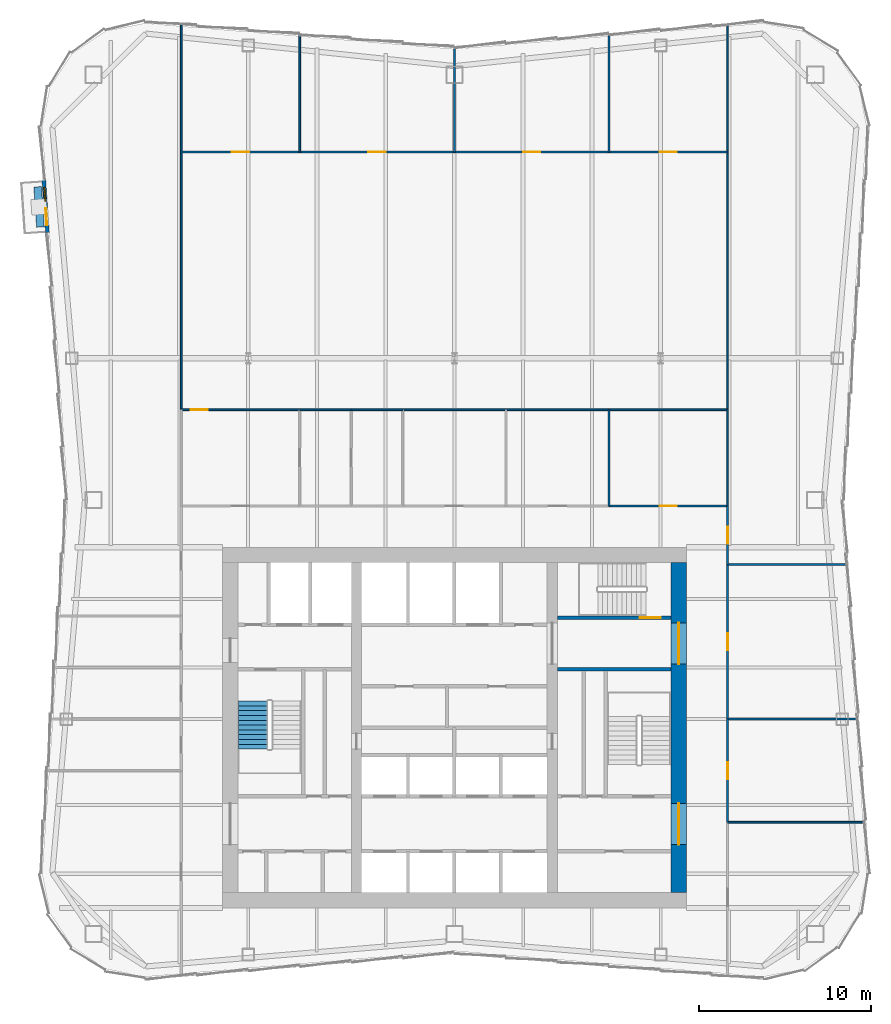
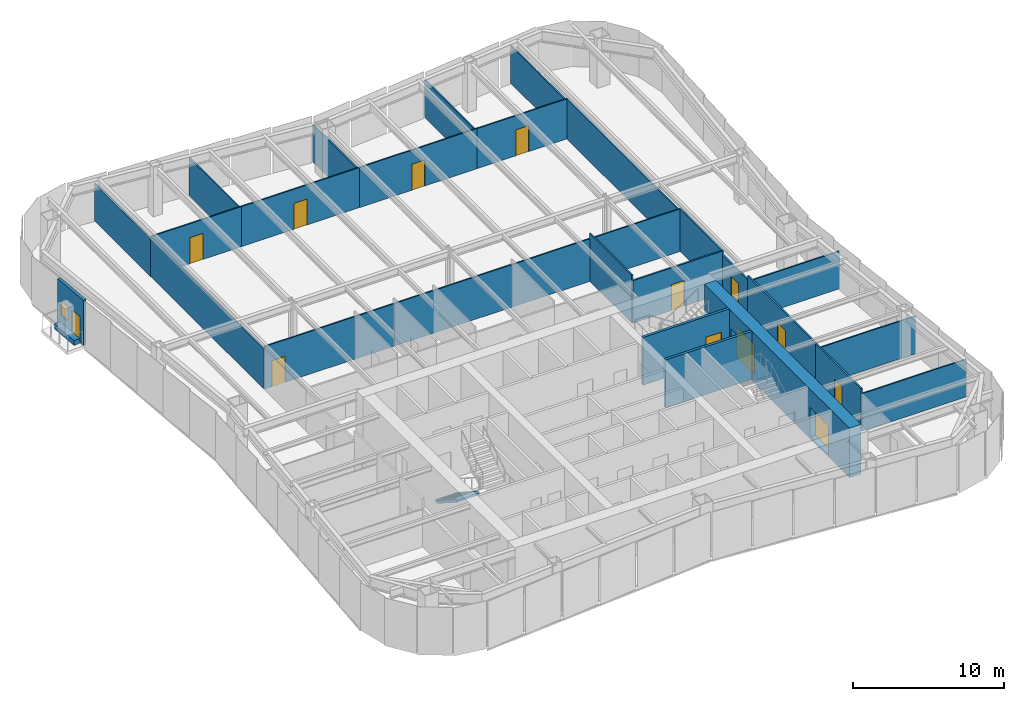
# One storey, part 7 of 10: 31 walls, 13 doors, 1 stair flight, 1 window, 14 openings, 1 element without a shape of its own.
"""IFC4 building model written with IfcOpenShell, lengths in metres."""

from ifc_helpers import new_model, si_unit, direction, frame, frame_2d, origin, place, context, subcontext, project, spatial, polyline, rectangle, outline, extrude, material, layer, layer_set, type_object, element, fill, aggregate, save


model = new_model("IFC4")

# Units and contexts
model_context = context("Model", 3, precision=1e-05, world=origin(), true_north=direction((0.0, 1.0)))
body_context = subcontext(model_context, "Body", "Model", "MODEL_VIEW")
ifc_project = project(units=[si_unit("LENGTHUNIT", "METRE"), si_unit("AREAUNIT", "SQUARE_METRE"), si_unit("VOLUMEUNIT", "CUBIC_METRE"), si_unit("PLANEANGLEUNIT", "RADIAN"), si_unit("MASSUNIT", "GRAM", prefix="KILO")], contexts=[model_context])

# Site, building, storey
site_placement = place(None, origin())
site = spatial("IfcSite", under=ifc_project, at=site_placement, CompositionType="ELEMENT")
building_placement = place(site_placement, origin())
building = spatial("IfcBuilding", under=site, at=building_placement, Name="Verdant Reach Tower", CompositionType="ELEMENT")
storey_placement = place(building_placement, frame((0.0, 0.0, 202.0)))
storey = spatial("IfcBuildingStorey", under=building, at=storey_placement, Name="L46", CompositionType="ELEMENT", Elevation=202.0)

# Wall
ifc_material_1 = material(Name="Concrete C40/50", Category="concrete")
ifc_layer_1 = layer(ifc_material_1, 0.199951171875)
ifc_layer_set_1 = layer_set([ifc_layer_1], Name="CO-WALL-STAIR")
wall_type_1 = type_object("IfcWallType", Name="CO-WALL-STAIR", PredefinedType="PARTITIONING", material=ifc_layer_set_1)
wall_1_placement = place(storey_placement, frame((6.0, 31.39990234375, 0.0), z_axis=(0.0, 0.0, 1.0), x_axis=(1.0, 0.0, 0.0)))
element("IfcWall", 1, at=wall_1_placement, inside=storey, type_object=wall_type_1, Name="Stair enclosure wall, L46", PredefinedType="PARTITIONING", context=body_context, shape_type="SweptSolid", body=[
    extrude(rectangle(XDim=6.60009765625, YDim=0.199951171875, at=frame_2d((3.300048828125, 0.0))), origin(), (0.0, 0.0, 1.0), 3.8701171875),
])

# Wall, opening, door
wall_2_placement = place(storey_placement, frame((6.0, 34.39990234375, 0.0), z_axis=(0.0, 0.0, 1.0), x_axis=(1.0, 0.0, 0.0)))
wall_2 = element("IfcWall", 2, at=wall_2_placement, inside=storey, type_object=wall_type_1, Name="Stair enclosure wall, L46", PredefinedType="PARTITIONING", context=body_context, shape_type="SweptSolid", body=[
    extrude(rectangle(XDim=6.60009765625, YDim=0.199951171875, at=frame_2d((3.300048828125, 0.0))), origin(), (0.0, 0.0, 1.0), 3.8701171875),
])
opening_1_placement = place(wall_2_placement, frame((4.800048828125, 0.0, 0.0)))
opening_1 = element("IfcOpeningElement", 3, at=opening_1_placement, cuts=wall_2, Name="Opening SD", PredefinedType="OPENING", context=body_context, shape_type="SweptSolid", body=[
    extrude(rectangle(XDim=1.199951171875, YDim=2.199951171875, at=frame_2d((0.60009765625, 1.10009765625))), frame((0.0, 0.10986328125, 0.0), z_axis=(0.0, -1.0, 0.0), x_axis=(1.0, 0.0, 0.0)), (0.0, 0.0, 1.0), 0.219970703125),
])
ifc_material_2 = material(Name="Steel", Category="steel")
door_type_1 = type_object("IfcDoorType", Name="CO-DOOR-STAIR", OperationType="NOTDEFINED", PredefinedType="DOOR", material=ifc_material_2)
door_1_placement = place(opening_1_placement, origin())
door_1 = element("IfcDoor", 4, at=door_1_placement, inside=storey, type_object=door_type_1, Name="Stair door, L46", OperationType="SINGLE_SWING_LEFT", OverallHeight=2.199951171875, OverallWidth=1.199951171875, PredefinedType="DOOR", context=body_context, shape_type="SweptSolid", body=[
    extrude(rectangle(XDim=1.199951171875, YDim=2.199951171875, at=frame_2d((0.60009765625, 1.10009765625))), frame((0.0, 0.02490234375, 0.0), z_axis=(0.0, -1.0, 0.0), x_axis=(1.0, 0.0, 0.0)), (0.0, 0.0, 1.0), 0.050048828125),
])
fill(opening_1, door_1)

# Wall, openings, door, window
ifc_material_3 = material(Name="Insulated bronze aluminium panel wall", Category="aluminium")
ifc_layer_2 = layer(ifc_material_3, 0.219970703125)
ifc_layer_set_2 = layer_set([ifc_layer_2], Name="EN-INFILL WALL")
wall_type_2 = type_object("IfcWallType", Name="EN-INFILL WALL", PredefinedType="SOLIDWALL", material=ifc_layer_set_2)
wall_3_placement = place(storey_placement, frame((-23.89208984375, 59.8525390625, 0.0), z_axis=(0.0, 0.0, 1.0), x_axis=(0.068788350144, -0.997631276016, 0.0)))
wall_3 = element("IfcWall", 5, at=wall_3_placement, inside=storey, type_object=wall_type_2, Name="External infill wall, balcony bay 1, L46", PredefinedType="SOLIDWALL", context=body_context, shape_type="SweptSolid", body=[
    extrude(rectangle(XDim=3.048828125, YDim=0.218017578125, at=frame_2d((1.5244140625, 0.0))), origin(), (0.0, 0.0, 1.0), 3.64990234375),
])
opening_2_placement = place(wall_3_placement, frame((1.63232421875, 0.0, 0.0)))
opening_2 = element("IfcOpeningElement", 6, at=opening_2_placement, cuts=wall_3, Name="Opening BD1", PredefinedType="OPENING", context=body_context, shape_type="SweptSolid", body=[
    extrude(rectangle(XDim=1.0, YDim=2.10009765625, at=frame_2d((0.5, 1.050048828125))), frame((0.0, 0.118896484375, 0.0), z_axis=(0.0, -1.0, 0.0), x_axis=(1.0, 0.0, 0.0)), (0.0, 0.0, 1.0), 0.238037109375),
])
opening_3_placement = place(wall_3_placement, frame((0.416259765625, 0.0, 0.89990234375)))
opening_3 = element("IfcOpeningElement", 7, at=opening_3_placement, cuts=wall_3, Name="Opening BW1", PredefinedType="OPENING", context=body_context, shape_type="SweptSolid", body=[
    extrude(rectangle(XDim=0.800048828125, YDim=1.199951171875, at=frame_2d((0.39990234375, 0.60009765625))), frame((0.0, 0.118896484375, 0.0), z_axis=(0.0, -1.0, 0.0), x_axis=(1.0, 0.0, 0.0)), (0.0, 0.0, 1.0), 0.238037109375),
])
ifc_material_4 = material(Name="Aluminium framed glazed door", Category="aluminium")
door_type_2 = type_object("IfcDoorType", Name="EN-DOOR BALCONY", OperationType="NOTDEFINED", PredefinedType="DOOR", material=ifc_material_4)
door_2_placement = place(opening_2_placement, origin())
door_2 = element("IfcDoor", 8, at=door_2_placement, inside=storey, type_object=door_type_2, Name="Balcony door 1, L46", OperationType="SINGLE_SWING_RIGHT", OverallHeight=2.10009765625, OverallWidth=1.0, PredefinedType="DOOR", context=body_context, shape_type="SweptSolid", body=[
    extrude(rectangle(XDim=1.0, YDim=2.10009765625, at=frame_2d((0.5, 1.050048828125))), frame((0.0, 0.02490234375, 0.0), z_axis=(0.0, -1.0, 0.0), x_axis=(1.0, 0.0, 0.0)), (0.0, 0.0, 1.0), 0.050048828125),
])
fill(opening_2, door_2)
ifc_material_5 = material(Name="Aluminium framed glazing", Category="aluminium")
window_type = type_object("IfcWindowType", Name="EN-WINDOW BALCONY", PartitioningType="SINGLE_PANEL", PredefinedType="WINDOW", material=ifc_material_5)
window_placement = place(opening_3_placement, origin())
window = element("IfcWindow", 9, at=window_placement, inside=storey, type_object=window_type, Name="Balcony window 1, L46", OverallHeight=1.199951171875, OverallWidth=0.800048828125, PartitioningType="SINGLE_PANEL", PredefinedType="WINDOW", context=body_context, shape_type="SweptSolid", body=[
    extrude(rectangle(XDim=0.800048828125, YDim=1.199951171875, at=frame_2d((0.39990234375, 0.60009765625))), frame((0.0, 0.030029296875, 0.0), z_axis=(0.0, -1.0, 0.0), x_axis=(1.0, 0.0, 0.0)), (0.0, 0.0, 1.0), 0.06005859375),
])
fill(opening_3, window)

# Wall
ifc_material_6 = material(Name="Precast concrete C30/37", Category="concrete")
ifc_layer_3 = layer(ifc_material_6, 0.449951171875)
ifc_layer_set_3 = layer_set([ifc_layer_3], Name="EN-PLANTER")
wall_type_3 = type_object("IfcWallType", Name="EN-PLANTER", PredefinedType="USERDEFINED", material=ifc_layer_set_3)
wall_4_placement = place(storey_placement, frame((-24.251220703125, 59.476806640625, 0.0), z_axis=(0.0, 0.0, 1.0), x_axis=(0.068816361971, -0.997629344158, 0.0)))
element("IfcWall", 10, at=wall_4_placement, inside=storey, type_object=wall_type_3, Name="Balcony planter 1, L46", ObjectType="PLANTER", PredefinedType="USERDEFINED", context=body_context, shape_type="SweptSolid", body=[
    extrude(rectangle(XDim=2.3486328125, YDim=0.449951171875, at=frame_2d((1.17431640625, 0.0))), origin(), (0.0, 0.0, 1.0), 0.39990234375),
])

# Wall, opening, door
ifc_material_7 = material(Name="Gypsum board on steel studs", Category="steel")
ifc_layer_4 = layer(ifc_material_7, 0.10009765625)
ifc_layer_set_4 = layer_set([ifc_layer_4], Name="FL-W1 Partition 100")
wall_type_4 = type_object("IfcWallType", Name="FL-W1 Partition 100", PredefinedType="PARTITIONING", material=ifc_layer_set_4)
wall_5_placement = place(storey_placement, frame((-15.89990234375, 46.5, 0.0), z_axis=(0.0, 0.0, 1.0), x_axis=(1.0, 0.0, 0.0)))
wall_5 = element("IfcWall", 11, at=wall_5_placement, inside=storey, type_object=wall_type_4, Name="Partition 46.17", PredefinedType="PARTITIONING", context=body_context, shape_type="SweptSolid", body=[
    extrude(rectangle(XDim=6.90380859375, YDim=0.10009765625, at=frame_2d((3.451904296875, 0.0))), origin(), (0.0, 0.0, 1.0), 3.43994140625),
])
opening_4_placement = place(wall_5_placement, frame((0.552001953125, 0.0, 0.0)))
opening_4 = element("IfcOpeningElement", 12, at=opening_4_placement, cuts=wall_5, Name="Opening D3", PredefinedType="OPENING", context=body_context, shape_type="SweptSolid", body=[
    extrude(rectangle(XDim=1.0, YDim=2.10009765625, at=frame_2d((0.5, 1.050048828125))), frame((0.0, 0.06005859375, 0.0), z_axis=(0.0, -1.0, 0.0), x_axis=(1.0, 0.0, 0.0)), (0.0, 0.0, 1.0), 0.1201171875),
])
ifc_material_8 = material(Name="Painted timber door leaf", Category="wood")
door_type_3 = type_object("IfcDoorType", Name="FL-D3 Door 1000x2100", OperationType="NOTDEFINED", PredefinedType="DOOR", material=ifc_material_8)
door_3_placement = place(opening_4_placement, origin())
door_3 = element("IfcDoor", 13, at=door_3_placement, inside=storey, type_object=door_type_3, Name="Door 46-015", OperationType="SINGLE_SWING_LEFT", OverallHeight=2.10009765625, OverallWidth=1.0, PredefinedType="DOOR", context=body_context, shape_type="SweptSolid", body=[
    extrude(rectangle(XDim=1.0, YDim=2.10009765625, at=frame_2d((0.5, 1.050048828125))), frame((0.0, 0.02490234375, 0.0), z_axis=(0.0, -1.0, 0.0), x_axis=(1.0, 0.0, 0.0)), (0.0, 0.0, 1.0), 0.050048828125),
])
fill(opening_4, door_3)

# Walls
for number, where, z_axis, x_axis, name in (
    (14, (-5.99609375, 46.5, 0.0), (0.0, 0.0, 1.0), (-1.0, 0.0, 0.0), "Partition 46.20"),
    (15, (-2.99609375, 46.5, 0.0), (0.0, 0.0, 1.0), (-1.0, 0.0, 0.0), "Partition 46.22"),
):
    element("IfcWall", number, at=place(storey_placement, frame(where, z_axis=z_axis, x_axis=x_axis)), inside=storey, type_object=wall_type_4, Name=name, PredefinedType="PARTITIONING", context=body_context, shape_type="SweptSolid", body=[
        extrude(rectangle(XDim=3.0078125, YDim=0.10009765625, at=frame_2d((1.50390625, 0.0))), origin(), (0.0, 0.0, 1.0), 3.43994140625),
    ])
wall_6_placement = place(storey_placement, frame((3.00390625, 46.5, 0.0), z_axis=(0.0, 0.0, 1.0), x_axis=(-1.0, 0.0, 0.0)))
element("IfcWall", 16, at=wall_6_placement, inside=storey, type_object=wall_type_4, Name="Partition 46.24", PredefinedType="PARTITIONING", context=body_context, shape_type="SweptSolid", body=[
    extrude(rectangle(XDim=6.0078125, YDim=0.10009765625, at=frame_2d((3.00390625, 0.0))), origin(), (0.0, 0.0, 1.0), 3.43994140625),
])
wall_7_placement = place(storey_placement, frame((9.0, 40.89990234375, 0.0), z_axis=(0.0, 0.0, 1.0), x_axis=(0.0, 1.0, 0.0)))
element("IfcWall", 17, at=wall_7_placement, inside=storey, type_object=wall_type_4, Name="Partition 46.25", PredefinedType="PARTITIONING", context=body_context, shape_type="SweptSolid", body=[
    extrude(rectangle(XDim=5.60009765625, YDim=0.10009765625, at=frame_2d((2.800048828125, 0.0))), origin(), (0.0, 0.0, 1.0), 3.8701171875),
])
wall_8_placement = place(storey_placement, frame((9.00390625, 46.5, 0.0), z_axis=(0.0, 0.0, 1.0), x_axis=(-1.0, 0.0, 0.0)))
element("IfcWall", 18, at=wall_8_placement, inside=storey, type_object=wall_type_4, Name="Partition 46.26", PredefinedType="PARTITIONING", context=body_context, shape_type="SweptSolid", body=[
    extrude(rectangle(XDim=6.0078125, YDim=0.10009765625, at=frame_2d((3.00390625, 0.0))), origin(), (0.0, 0.0, 1.0), 3.43994140625),
])
wall_9_placement = place(storey_placement, frame((15.89990234375, 46.5, 0.0), z_axis=(0.0, 0.0, 1.0), x_axis=(-1.0, 0.0, 0.0)))
element("IfcWall", 19, at=wall_9_placement, inside=storey, type_object=wall_type_4, Name="Partition 46.27", PredefinedType="PARTITIONING", context=body_context, shape_type="SweptSolid", body=[
    extrude(rectangle(XDim=6.90380859375, YDim=0.10009765625, at=frame_2d((3.451904296875, 0.0))), origin(), (0.0, 0.0, 1.0), 3.43994140625),
])
wall_10_placement = place(storey_placement, frame((15.89990234375, 40.89599609375, 0.0), z_axis=(0.0, 0.0, 1.0), x_axis=(0.0, 1.0, 0.0)))
element("IfcWall", 20, at=wall_10_placement, inside=storey, type_object=wall_type_4, Name="Partition 46.28", PredefinedType="PARTITIONING", context=body_context, shape_type="SweptSolid", body=[
    extrude(rectangle(XDim=5.60791015625, YDim=0.10009765625, at=frame_2d((2.803955078125, 0.0))), origin(), (0.0, 0.0, 1.0), 3.43994140625),
])

# Wall, opening, door
wall_11_placement = place(storey_placement, frame((-15.89990234375, 61.5, 0.0), z_axis=(0.0, 0.0, 1.0), x_axis=(1.0, 0.0, 0.0)))
wall_11 = element("IfcWall", 21, at=wall_11_placement, inside=storey, type_object=wall_type_4, Name="Partition 46.29", PredefinedType="PARTITIONING", context=body_context, shape_type="SweptSolid", body=[
    extrude(rectangle(XDim=6.89990234375, YDim=0.10009765625, at=frame_2d((3.449951171875, 0.0))), origin(), (0.0, 0.0, 1.0), 3.239990234375),
])
opening_5_placement = place(wall_11_placement, frame((2.949951171875, 0.0, 0.0)))
opening_5 = element("IfcOpeningElement", 22, at=opening_5_placement, cuts=wall_11, Name="Opening D3", PredefinedType="OPENING", context=body_context, shape_type="SweptSolid", body=[
    extrude(rectangle(XDim=1.0, YDim=2.10009765625, at=frame_2d((0.5, 1.050048828125))), frame((0.0, 0.06005859375, 0.0), z_axis=(0.0, -1.0, 0.0), x_axis=(1.0, 0.0, 0.0)), (0.0, 0.0, 1.0), 0.1201171875),
])
door_4_placement = place(opening_5_placement, origin())
door_4 = element("IfcDoor", 23, at=door_4_placement, inside=storey, type_object=door_type_3, Name="Door 46-017", OperationType="SINGLE_SWING_LEFT", OverallHeight=2.10009765625, OverallWidth=1.0, PredefinedType="DOOR", context=body_context, shape_type="SweptSolid", body=[
    extrude(rectangle(XDim=1.0, YDim=2.10009765625, at=frame_2d((0.5, 1.050048828125))), frame((0.0, 0.02490234375, 0.0), z_axis=(0.0, -1.0, 0.0), x_axis=(1.0, 0.0, 0.0)), (0.0, 0.0, 1.0), 0.050048828125),
])
fill(opening_5, door_4)

wall_12_placement = place(storey_placement, frame((-9.0, 61.5, 0.0), z_axis=(0.0, 0.0, 1.0), x_axis=(1.0, 0.0, 0.0)))
wall_12 = element("IfcWall", 24, at=wall_12_placement, inside=storey, type_object=wall_type_4, Name="Partition 46.30", PredefinedType="PARTITIONING", context=body_context, shape_type="SweptSolid", body=[
    extrude(rectangle(XDim=9.0, YDim=0.10009765625, at=frame_2d((4.5, 0.0))), origin(), (0.0, 0.0, 1.0), 3.239990234375),
])
opening_6_placement = place(wall_12_placement, frame((4.0, 0.0, 0.0)))
opening_6 = element("IfcOpeningElement", 25, at=opening_6_placement, cuts=wall_12, Name="Opening D3", PredefinedType="OPENING", context=body_context, shape_type="SweptSolid", body=[
    extrude(rectangle(XDim=1.0, YDim=2.10009765625, at=frame_2d((0.5, 1.050048828125))), frame((0.0, 0.06005859375, 0.0), z_axis=(0.0, -1.0, 0.0), x_axis=(1.0, 0.0, 0.0)), (0.0, 0.0, 1.0), 0.1201171875),
])
door_5_placement = place(opening_6_placement, origin())
door_5 = element("IfcDoor", 26, at=door_5_placement, inside=storey, type_object=door_type_3, Name="Door 46-018", OperationType="SINGLE_SWING_RIGHT", OverallHeight=2.10009765625, OverallWidth=1.0, PredefinedType="DOOR", context=body_context, shape_type="SweptSolid", body=[
    extrude(rectangle(XDim=1.0, YDim=2.10009765625, at=frame_2d((0.5, 1.050048828125))), frame((0.0, 0.02490234375, 0.0), z_axis=(0.0, -1.0, 0.0), x_axis=(1.0, 0.0, 0.0)), (0.0, 0.0, 1.0), 0.050048828125),
])
fill(opening_6, door_5)

wall_13_placement = place(storey_placement, frame((0.0, 61.5, 0.0), z_axis=(0.0, 0.0, 1.0), x_axis=(1.0, 0.0, 0.0)))
wall_13 = element("IfcWall", 27, at=wall_13_placement, inside=storey, type_object=wall_type_4, Name="Partition 46.31", PredefinedType="PARTITIONING", context=body_context, shape_type="SweptSolid", body=[
    extrude(rectangle(XDim=9.0, YDim=0.10009765625, at=frame_2d((4.5, 0.0))), origin(), (0.0, 0.0, 1.0), 3.239990234375),
])
opening_7_placement = place(wall_13_placement, frame((4.0, 0.0, 0.0)))
opening_7 = element("IfcOpeningElement", 28, at=opening_7_placement, cuts=wall_13, Name="Opening D3", PredefinedType="OPENING", context=body_context, shape_type="SweptSolid", body=[
    extrude(rectangle(XDim=1.0, YDim=2.10009765625, at=frame_2d((0.5, 1.050048828125))), frame((0.0, 0.06005859375, 0.0), z_axis=(0.0, -1.0, 0.0), x_axis=(1.0, 0.0, 0.0)), (0.0, 0.0, 1.0), 0.1201171875),
])
door_6_placement = place(opening_7_placement, origin())
door_6 = element("IfcDoor", 29, at=door_6_placement, inside=storey, type_object=door_type_3, Name="Door 46-019", OperationType="SINGLE_SWING_LEFT", OverallHeight=2.10009765625, OverallWidth=1.0, PredefinedType="DOOR", context=body_context, shape_type="SweptSolid", body=[
    extrude(rectangle(XDim=1.0, YDim=2.10009765625, at=frame_2d((0.5, 1.050048828125))), frame((0.0, 0.02490234375, 0.0), z_axis=(0.0, -1.0, 0.0), x_axis=(1.0, 0.0, 0.0)), (0.0, 0.0, 1.0), 0.050048828125),
])
fill(opening_7, door_6)

wall_14_placement = place(storey_placement, frame((9.0, 61.5, 0.0), z_axis=(0.0, 0.0, 1.0), x_axis=(1.0, 0.0, 0.0)))
wall_14 = element("IfcWall", 30, at=wall_14_placement, inside=storey, type_object=wall_type_4, Name="Partition 46.32", PredefinedType="PARTITIONING", context=body_context, shape_type="SweptSolid", body=[
    extrude(rectangle(XDim=6.89990234375, YDim=0.10009765625, at=frame_2d((3.449951171875, 0.0))), origin(), (0.0, 0.0, 1.0), 3.239990234375),
])
opening_8_placement = place(wall_14_placement, frame((2.949951171875, 0.0, 0.0)))
opening_8 = element("IfcOpeningElement", 31, at=opening_8_placement, cuts=wall_14, Name="Opening D3", PredefinedType="OPENING", context=body_context, shape_type="SweptSolid", body=[
    extrude(rectangle(XDim=1.0, YDim=2.10009765625, at=frame_2d((0.5, 1.050048828125))), frame((0.0, 0.06005859375, 0.0), z_axis=(0.0, -1.0, 0.0), x_axis=(1.0, 0.0, 0.0)), (0.0, 0.0, 1.0), 0.1201171875),
])
door_7_placement = place(opening_8_placement, origin())
door_7 = element("IfcDoor", 32, at=door_7_placement, inside=storey, type_object=door_type_3, Name="Door 46-020", OperationType="SINGLE_SWING_RIGHT", OverallHeight=2.10009765625, OverallWidth=1.0, PredefinedType="DOOR", context=body_context, shape_type="SweptSolid", body=[
    extrude(rectangle(XDim=1.0, YDim=2.10009765625, at=frame_2d((0.5, 1.050048828125))), frame((0.0, 0.02490234375, 0.0), z_axis=(0.0, -1.0, 0.0), x_axis=(1.0, 0.0, 0.0)), (0.0, 0.0, 1.0), 0.050048828125),
])
fill(opening_8, door_7)

# Walls
for number, where, z_axis, x_axis, name in (
    (33, (-15.89990234375, 61.50390625, 0.0), (0.0, 0.0, 1.0), (0.0, -1.0, 0.0), "Partition 46.33"),
    (34, (15.89990234375, 46.49609375, 0.0), (0.0, 0.0, 1.0), (0.0, 1.0, 0.0), "Partition 46.34"),
):
    element("IfcWall", number, at=place(storey_placement, frame(where, z_axis=z_axis, x_axis=x_axis)), inside=storey, type_object=wall_type_4, Name=name, PredefinedType="PARTITIONING", context=body_context, shape_type="SweptSolid", body=[
        extrude(rectangle(XDim=15.0078125, YDim=0.10009765625, at=frame_2d((7.50390625, 0.0))), origin(), (0.0, 0.0, 1.0), 3.239990234375),
    ])
wall_15_placement = place(storey_placement, frame((-9.0, 61.5, 0.0), z_axis=(0.0, 0.0, 1.0), x_axis=(0.0, 1.0, 0.0)))
element("IfcWall", 35, at=wall_15_placement, inside=storey, type_object=wall_type_4, Name="Partition 46.35", PredefinedType="PARTITIONING", context=body_context, shape_type="SweptSolid", body=[
    extrude(rectangle(XDim=6.830078125, YDim=0.10009765625, at=frame_2d((3.4150390625, 0.0))), origin(), (0.0, 0.0, 1.0), 3.0400390625),
])
wall_16_placement = place(storey_placement, frame((-15.89990234375, 68.905029296875, 0.0), z_axis=(0.0, 0.0, 1.0), x_axis=(0.0, -1.0, 0.0)))
element("IfcWall", 36, at=wall_16_placement, inside=storey, type_object=wall_type_4, Name="Partition 46.36", PredefinedType="PARTITIONING", context=body_context, shape_type="SweptSolid", body=[
    extrude(rectangle(XDim=7.408935546875, YDim=0.10009765625, at=frame_2d((3.70458984375, 0.0))), origin(), (0.0, 0.0, 1.0), 3.0400390625),
])
wall_17_placement = place(storey_placement, frame((0.0, 61.5, 0.0), z_axis=(0.0, 0.0, 1.0), x_axis=(0.0, 1.0, 0.0)))
element("IfcWall", 37, at=wall_17_placement, inside=storey, type_object=wall_type_4, Name="Partition 46.37", PredefinedType="PARTITIONING", context=body_context, shape_type="SweptSolid", body=[
    extrude(rectangle(XDim=6.080078125, YDim=0.10009765625, at=frame_2d((3.0400390625, 0.0))), origin(), (0.0, 0.0, 1.0), 3.0400390625),
])
wall_18_placement = place(storey_placement, frame((9.0, 61.5, 0.0), z_axis=(0.0, 0.0, 1.0), x_axis=(0.0, 1.0, 0.0)))
element("IfcWall", 38, at=wall_18_placement, inside=storey, type_object=wall_type_4, Name="Partition 46.38", PredefinedType="PARTITIONING", context=body_context, shape_type="SweptSolid", body=[
    extrude(rectangle(XDim=6.830078125, YDim=0.10009765625, at=frame_2d((3.4150390625, 0.0))), origin(), (0.0, 0.0, 1.0), 3.0400390625),
])
wall_19_placement = place(storey_placement, frame((15.89990234375, 61.49609375, 0.0), z_axis=(0.0, 0.0, 1.0), x_axis=(0.0, 1.0, 0.0)))
element("IfcWall", 39, at=wall_19_placement, inside=storey, type_object=wall_type_4, Name="Partition 46.39", PredefinedType="PARTITIONING", context=body_context, shape_type="SweptSolid", body=[
    extrude(rectangle(XDim=7.408935546875, YDim=0.10009765625, at=frame_2d((3.70458984375, 0.0))), origin(), (0.0, 0.0, 1.0), 3.0400390625),
])
wall_20_placement = place(storey_placement, frame((23.873046875, 22.5, 0.0), z_axis=(0.0, 0.0, 1.0), x_axis=(-1.0, 0.0, 0.0)))
element("IfcWall", 40, at=wall_20_placement, inside=storey, type_object=wall_type_4, Name="Partition 46.44", PredefinedType="PARTITIONING", context=body_context, shape_type="SweptSolid", body=[
    extrude(rectangle(XDim=7.97314453125, YDim=0.10009765625, at=frame_2d((3.986572265625, 0.0))), origin(), (0.0, 0.0, 1.0), 3.0400390625),
])
wall_21_placement = place(storey_placement, frame((23.459228515625, 28.5, 0.0), z_axis=(0.0, 0.0, 1.0), x_axis=(-1.0, 0.0, 0.0)))
element("IfcWall", 41, at=wall_21_placement, inside=storey, type_object=wall_type_4, Name="Partition 46.45", PredefinedType="PARTITIONING", context=body_context, shape_type="SweptSolid", body=[
    extrude(rectangle(XDim=7.559326171875, YDim=0.10009765625, at=frame_2d((3.77978515625, 0.0))), origin(), (0.0, 0.0, 1.0), 3.0400390625),
])
wall_22_placement = place(storey_placement, frame((22.838623046875, 37.5, 0.0), z_axis=(0.0, 0.0, 1.0), x_axis=(-1.0, 0.0, 0.0)))
element("IfcWall", 42, at=wall_22_placement, inside=storey, type_object=wall_type_4, Name="Partition 46.46", PredefinedType="PARTITIONING", context=body_context, shape_type="SweptSolid", body=[
    extrude(rectangle(XDim=6.938720703125, YDim=0.10009765625, at=frame_2d((3.46923828125, 0.0))), origin(), (0.0, 0.0, 1.0), 3.0400390625),
])

# Wall, opening, door
ifc_material_9 = material(Name="Gypsum board on steel studs, fire rated", Category="steel")
ifc_layer_5 = layer(ifc_material_9, 0.125)
ifc_layer_set_5 = layer_set([ifc_layer_5], Name="FL-W2 Corridor wall 125")
wall_type_5 = type_object("IfcWallType", Name="FL-W2 Corridor wall 125", PredefinedType="PARTITIONING", material=ifc_layer_set_5)
wall_23_placement = place(storey_placement, frame((9.0, 40.89990234375, 0.0), z_axis=(0.0, 0.0, 1.0), x_axis=(1.0, 0.0, 0.0)))
wall_23 = element("IfcWall", 43, at=wall_23_placement, inside=storey, type_object=wall_type_5, Name="Partition 46.06", PredefinedType="PARTITIONING", context=body_context, shape_type="SweptSolid", body=[
    extrude(rectangle(XDim=6.89990234375, YDim=0.125, at=frame_2d((3.449951171875, 0.0))), origin(), (0.0, 0.0, 1.0), 3.43994140625),
])
opening_9_placement = place(wall_23_placement, frame((2.949951171875, 0.0, 0.0)))
opening_9 = element("IfcOpeningElement", 44, at=opening_9_placement, cuts=wall_23, Name="Opening D2", PredefinedType="OPENING", context=body_context, shape_type="SweptSolid", body=[
    extrude(rectangle(XDim=1.0, YDim=2.10009765625, at=frame_2d((0.5, 1.050048828125))), frame((0.0, 0.072509765625, 0.0), z_axis=(0.0, -1.0, 0.0), x_axis=(1.0, 0.0, 0.0)), (0.0, 0.0, 1.0), 0.14501953125),
])
ifc_material_10 = material(Name="Timber door leaf, fire rated", Category="wood")
door_type_4 = type_object("IfcDoorType", Name="FL-D2 Entrance door 1000x2100 FD30", OperationType="NOTDEFINED", PredefinedType="DOOR", material=ifc_material_10)
door_8_placement = place(opening_9_placement, origin())
door_8 = element("IfcDoor", 45, at=door_8_placement, inside=storey, type_object=door_type_4, Name="Door 46-004", OperationType="SINGLE_SWING_RIGHT", OverallHeight=2.10009765625, OverallWidth=1.0, PredefinedType="DOOR", context=body_context, shape_type="SweptSolid", body=[
    extrude(rectangle(XDim=1.0, YDim=2.10009765625, at=frame_2d((0.5, 1.050048828125))), frame((0.0, 0.02490234375, 0.0), z_axis=(0.0, -1.0, 0.0), x_axis=(1.0, 0.0, 0.0)), (0.0, 0.0, 1.0), 0.050048828125),
])
fill(opening_9, door_8)

wall_24_placement = place(storey_placement, frame((15.89990234375, 28.5, 0.0), z_axis=(0.0, 0.0, 1.0), x_axis=(0.0, -1.0, 0.0)))
wall_24 = element("IfcWall", 46, at=wall_24_placement, inside=storey, type_object=wall_type_5, Name="Partition 46.13", PredefinedType="PARTITIONING", context=body_context, shape_type="SweptSolid", body=[
    extrude(rectangle(XDim=6.0, YDim=0.125, at=frame_2d((3.0, 0.0))), origin(), (0.0, 0.0, 1.0), 3.43994140625),
])
opening_10_placement = place(wall_24_placement, frame((2.5, 0.0, 0.0)))
opening_10 = element("IfcOpeningElement", 47, at=opening_10_placement, cuts=wall_24, Name="Opening D2", PredefinedType="OPENING", context=body_context, shape_type="SweptSolid", body=[
    extrude(rectangle(XDim=1.0, YDim=2.10009765625, at=frame_2d((0.5, 1.050048828125))), frame((0.0, 0.072509765625, 0.0), z_axis=(0.0, -1.0, 0.0), x_axis=(1.0, 0.0, 0.0)), (0.0, 0.0, 1.0), 0.14501953125),
])
door_9_placement = place(opening_10_placement, origin())
door_9 = element("IfcDoor", 48, at=door_9_placement, inside=storey, type_object=door_type_4, Name="Door 46-011", OperationType="SINGLE_SWING_LEFT", OverallHeight=2.10009765625, OverallWidth=1.0, PredefinedType="DOOR", context=body_context, shape_type="SweptSolid", body=[
    extrude(rectangle(XDim=1.0, YDim=2.10009765625, at=frame_2d((0.5, 1.050048828125))), frame((0.0, 0.02490234375, 0.0), z_axis=(0.0, -1.0, 0.0), x_axis=(1.0, 0.0, 0.0)), (0.0, 0.0, 1.0), 0.050048828125),
])
fill(opening_10, door_9)

wall_25_placement = place(storey_placement, frame((15.89990234375, 37.5, 0.0), z_axis=(0.0, 0.0, 1.0), x_axis=(0.0, -1.0, 0.0)))
wall_25 = element("IfcWall", 49, at=wall_25_placement, inside=storey, type_object=wall_type_5, Name="Partition 46.14", PredefinedType="PARTITIONING", context=body_context, shape_type="SweptSolid", body=[
    extrude(rectangle(XDim=9.0, YDim=0.125, at=frame_2d((4.5, 0.0))), origin(), (0.0, 0.0, 1.0), 3.47998046875),
])
opening_11_placement = place(wall_25_placement, frame((4.0, 0.0, 0.0)))
opening_11 = element("IfcOpeningElement", 50, at=opening_11_placement, cuts=wall_25, Name="Opening D2", PredefinedType="OPENING", context=body_context, shape_type="SweptSolid", body=[
    extrude(rectangle(XDim=1.0, YDim=2.10009765625, at=frame_2d((0.5, 1.050048828125))), frame((0.0, 0.072509765625, 0.0), z_axis=(0.0, -1.0, 0.0), x_axis=(1.0, 0.0, 0.0)), (0.0, 0.0, 1.0), 0.14501953125),
])
door_10_placement = place(opening_11_placement, origin())
door_10 = element("IfcDoor", 51, at=door_10_placement, inside=storey, type_object=door_type_4, Name="Door 46-012", OperationType="SINGLE_SWING_RIGHT", OverallHeight=2.10009765625, OverallWidth=1.0, PredefinedType="DOOR", context=body_context, shape_type="SweptSolid", body=[
    extrude(rectangle(XDim=1.0, YDim=2.10009765625, at=frame_2d((0.5, 1.050048828125))), frame((0.0, 0.02490234375, 0.0), z_axis=(0.0, -1.0, 0.0), x_axis=(1.0, 0.0, 0.0)), (0.0, 0.0, 1.0), 0.050048828125),
])
fill(opening_11, door_10)

wall_26_placement = place(storey_placement, frame((15.89990234375, 40.904052734375, 0.0), z_axis=(0.0, 0.0, 1.0), x_axis=(0.0, -1.0, 0.0)))
wall_26 = element("IfcWall", 52, at=wall_26_placement, inside=storey, type_object=wall_type_5, Name="Partition 46.15", PredefinedType="PARTITIONING", context=body_context, shape_type="SweptSolid", body=[
    extrude(rectangle(XDim=3.404052734375, YDim=0.125, at=frame_2d((1.7021484375, 0.0))), origin(), (0.0, 0.0, 1.0), 3.139892578125),
])
opening_12_placement = place(wall_26_placement, frame((1.201904296875, 0.0, 0.0)))
opening_12 = element("IfcOpeningElement", 53, at=opening_12_placement, cuts=wall_26, Name="Opening D2", PredefinedType="OPENING", context=body_context, shape_type="SweptSolid", body=[
    extrude(rectangle(XDim=1.0, YDim=2.10009765625, at=frame_2d((0.5, 1.050048828125))), frame((0.0, 0.072509765625, 0.0), z_axis=(0.0, -1.0, 0.0), x_axis=(1.0, 0.0, 0.0)), (0.0, 0.0, 1.0), 0.14501953125),
])
door_11_placement = place(opening_12_placement, origin())
door_11 = element("IfcDoor", 54, at=door_11_placement, inside=storey, type_object=door_type_4, Name="Door 46-013", OperationType="SINGLE_SWING_LEFT", OverallHeight=2.10009765625, OverallWidth=1.0, PredefinedType="DOOR", context=body_context, shape_type="SweptSolid", body=[
    extrude(rectangle(XDim=1.0, YDim=2.10009765625, at=frame_2d((0.5, 1.050048828125))), frame((0.0, 0.02490234375, 0.0), z_axis=(0.0, -1.0, 0.0), x_axis=(1.0, 0.0, 0.0)), (0.0, 0.0, 1.0), 0.050048828125),
])
fill(opening_12, door_11)

# Wall, openings, doors
ifc_material_11 = material(Name="Concrete C70/85", Category="concrete")
ifc_layer_6 = layer(ifc_material_11, 0.89990234375)
ifc_layer_set_6 = layer_set([ifc_layer_6], Name="ST-CORE-WALL-900")
wall_type_6 = type_object("IfcWallType", Name="ST-CORE-WALL-900", PredefinedType="SHEAR", material=ifc_layer_set_6)
wall_27_placement = place(storey_placement, frame((13.050048828125, 18.39990234375, -0.1298828125), z_axis=(0.0, 0.0, 1.0), x_axis=(0.0, 1.0, 0.0)))
wall_27 = element("IfcWall", 55, at=wall_27_placement, inside=storey, type_object=wall_type_6, Name="Core wall E, L46", PredefinedType="SHEAR", context=body_context, shape_type="SweptSolid", body=[
    extrude(rectangle(XDim=19.2001953125, YDim=0.89990234375, at=frame_2d((9.60009765625, 0.0))), origin(), (0.0, 0.0, 1.0), 4.0),
])
opening_13_placement = place(wall_27_placement, frame((2.800048828125, 0.0, 0.1298828125)))
opening_13 = element("IfcOpeningElement", 56, at=opening_13_placement, cuts=wall_27, Name="Opening LB", PredefinedType="OPENING", context=body_context, shape_type="SweptSolid", body=[
    extrude(rectangle(XDim=2.39990234375, YDim=2.39990234375, at=frame_2d((1.199951171875, 1.199951171875))), frame((0.0, 0.4599609375, 0.0), z_axis=(0.0, -1.0, 0.0), x_axis=(1.0, 0.0, 0.0)), (0.0, 0.0, 1.0), 0.919921875),
])
opening_14_placement = place(wall_27_placement, frame((13.300048828125, 0.0, 0.1298828125)))
opening_14 = element("IfcOpeningElement", 57, at=opening_14_placement, cuts=wall_27, Name="Opening LB", PredefinedType="OPENING", context=body_context, shape_type="SweptSolid", body=[
    extrude(rectangle(XDim=2.39990234375, YDim=2.39990234375, at=frame_2d((1.199951171875, 1.199951171875))), frame((0.0, 0.4599609375, 0.0), z_axis=(0.0, -1.0, 0.0), x_axis=(1.0, 0.0, 0.0)), (0.0, 0.0, 1.0), 0.919921875),
])
ifc_material_12 = material(Name="Glass and steel", Category="steel")
door_type_5 = type_object("IfcDoorType", Name="CO-DOOR-LOBBY", OperationType="DOUBLE_DOOR_SINGLE_SWING", PredefinedType="DOOR", material=ifc_material_12)
door_12_placement = place(opening_13_placement, origin())
door_12 = element("IfcDoor", 58, at=door_12_placement, inside=storey, type_object=door_type_5, Name="Core entrance door, L46", OperationType="DOUBLE_DOOR_SINGLE_SWING", OverallHeight=2.39990234375, OverallWidth=2.39990234375, PredefinedType="DOOR", context=body_context, shape_type="SweptSolid", body=[
    extrude(rectangle(XDim=2.39990234375, YDim=2.39990234375, at=frame_2d((1.199951171875, 1.199951171875))), frame((0.0, 0.02490234375, 0.0), z_axis=(0.0, -1.0, 0.0), x_axis=(1.0, 0.0, 0.0)), (0.0, 0.0, 1.0), 0.050048828125),
])
fill(opening_13, door_12)
door_13_placement = place(opening_14_placement, origin())
door_13 = element("IfcDoor", 59, at=door_13_placement, inside=storey, type_object=door_type_5, Name="Core entrance door, L46", OperationType="DOUBLE_DOOR_SINGLE_SWING", OverallHeight=2.39990234375, OverallWidth=2.39990234375, PredefinedType="DOOR", context=body_context, shape_type="SweptSolid", body=[
    extrude(rectangle(XDim=2.39990234375, YDim=2.39990234375, at=frame_2d((1.199951171875, 1.199951171875))), frame((0.0, 0.02490234375, 0.0), z_axis=(0.0, -1.0, 0.0), x_axis=(1.0, 0.0, 0.0)), (0.0, 0.0, 1.0), 0.050048828125),
])
fill(opening_14, door_13)

# Stair, stair flight
stair_type = type_object("IfcStairType", Name="CO-STAIR", PredefinedType="HALF_TURN_STAIR", material=ifc_material_1)
stair_placement = place(storey_placement, origin())
stair = element("IfcStair", 60, at=stair_placement, inside=storey, type_object=stair_type, Name="L46 Exit stair 1", PredefinedType="HALF_TURN_STAIR")
stair_flight_type = type_object("IfcStairFlightType", Name="CO-STAIR-FLIGHT", PredefinedType="STRAIGHT", material=ifc_material_1)
stair_flight_placement = place(storey_placement, frame((-11.72509765625, 29.550048828125, 0.0), z_axis=(0.0, 0.0, 1.0), x_axis=(0.0, -1.0, 0.0)))
stair_flight = element("IfcStairFlight", 61, at=stair_flight_placement, type_object=stair_flight_type, Name="ST-1 flight 1", NumberOfRisers=11, NumberOfTreads=10, PredefinedType="STRAIGHT", RiserHeight=0.181818182, TreadLength=0.28, context=body_context, shape_type="SweptSolid", body=[
    extrude(outline(polyline([(0.0, 0.0), (0.0, 0.181884765625), (0.280029296875, 0.181884765625), (0.280029296875, 0.363525390625), (0.56005859375, 0.363525390625), (0.56005859375, 0.54541015625), (0.840087890625, 0.54541015625), (0.840087890625, 0.727294921875), (1.1201171875, 0.727294921875), (1.1201171875, 0.9091796875), (1.39990234375, 0.9091796875), (1.39990234375, 1.0908203125), (1.679931640625, 1.0908203125), (1.679931640625, 1.272705078125), (1.9599609375, 1.272705078125), (1.9599609375, 1.45458984375), (2.239990234375, 1.45458984375), (2.239990234375, 1.636474609375), (2.52001953125, 1.636474609375), (2.52001953125, 1.818115234375), (2.800048828125, 1.818115234375), (2.800048828125, 2.0), (2.800048828125, 1.639404296875), (0.275146484375, 0.0), (0.0, 0.0)])), frame((0.0, 0.875, 0.0), z_axis=(0.0, -1.0, 0.0), x_axis=(1.0, 0.0, 0.0)), (0.0, 0.0, 1.0), 1.75),
])
aggregate(stair, [stair_flight])

save(model, "model.ifc")
